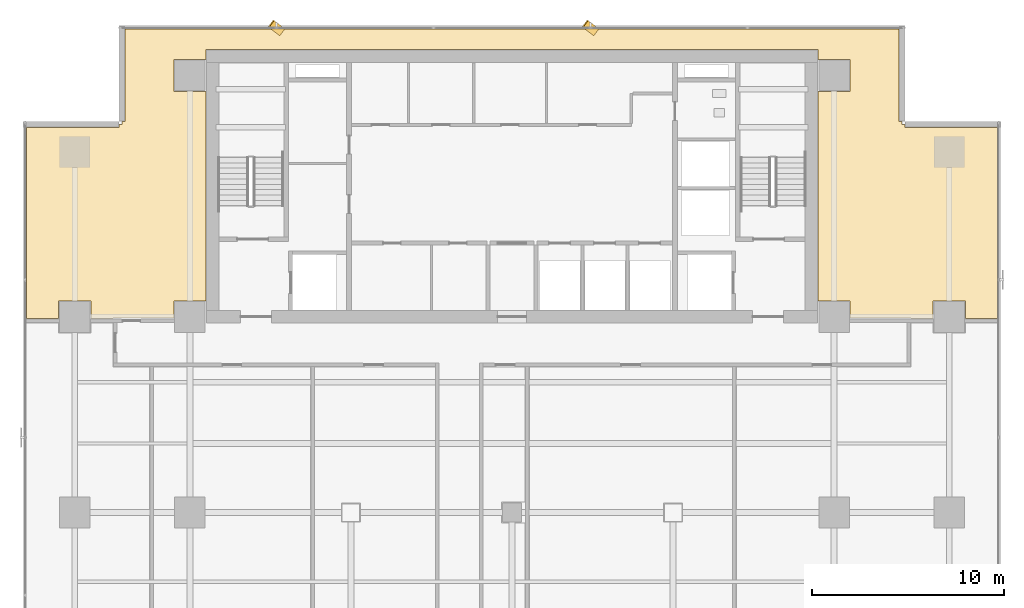
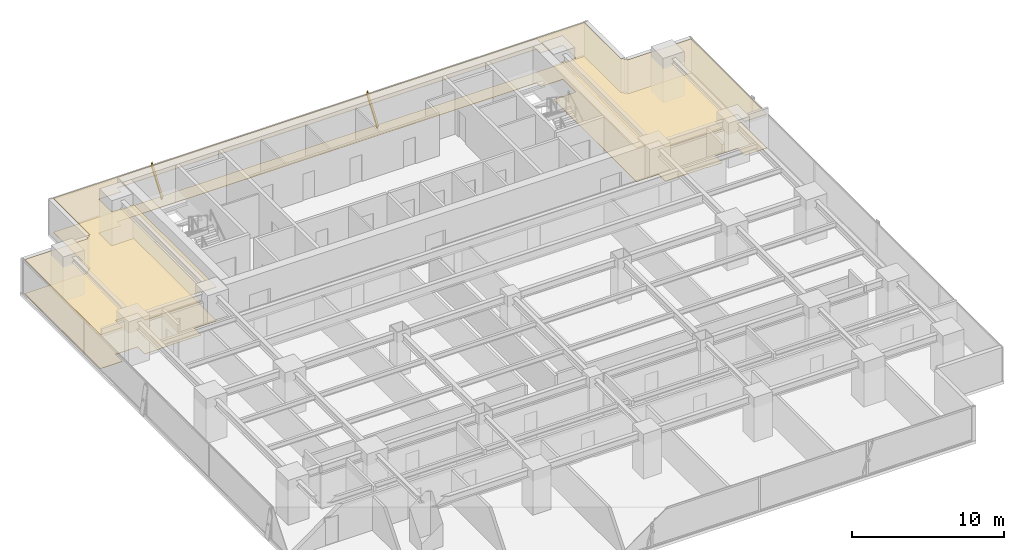
# One storey, part 35 of 37: 2 coverings, 2 shading devices.
"""IFC4 building model written with IfcOpenShell, lengths in metres."""

import ifcopenshell
import ifcopenshell.guid

model = None  # the IFC model being written
_history = None  # IfcOwnerHistory: only IFC2X3 demands one
_inside = {}  # id of a spatial element -> (the spatial element, [elements in it])
_under = {}  # id of a project, library or spatial element -> (it, [spatial elements below it])
_declared = {}  # id of a project -> (the project, [libraries it declares])
_typed = {}  # id of a type object -> (the type object, [elements of that type])
_made_of = {}  # id of a material, layer set ... -> (it, [elements and type objects made of it])


def new_model(schema):
    """Start an empty IFC model of exactly this schema.

    Asked for "IFC4X3", IfcOpenShell would pick the latest addendum, in which some entities
    have other attributes; the version numbers below select the first issue.
    IFC2X3 requires an IfcOwnerHistory on every rooted entity: one is made here for all.
    """
    global model, _history
    if schema == "IFC4X3":
        model = ifcopenshell.file(schema_version=(4, 3, 0, 0))
    else:
        model = ifcopenshell.file(schema=schema)
    _inside.clear()
    _under.clear()
    _declared.clear()
    _typed.clear()
    _made_of.clear()
    _history = None
    if model.schema == "IFC2X3":
        org = make("IfcOrganization", Name="unknown")
        user = make(
            "IfcPersonAndOrganization",
            ThePerson=make("IfcPerson", FamilyName="unknown"),
            TheOrganization=org,
        )
        app = make(
            "IfcApplication",
            ApplicationDeveloper=org,
            Version="unknown",
            ApplicationFullName="unknown",
            ApplicationIdentifier="unknown",
        )
        _history = make(
            "IfcOwnerHistory",
            OwningUser=user,
            OwningApplication=app,
            ChangeAction="ADDED",
            CreationDate=0,
        )
    return model


def make(cls, **values):
    """One entity of the class cls with the attributes given. An attribute that is None is left unset."""
    return model.create_entity(
        cls, **{name: value for name, value in values.items() if value is not None}
    )


def rooted(cls, **values):
    """An entity with a GlobalId (a new one), such as an element, a storey or a relation."""
    return make(cls, GlobalId=ifcopenshell.guid.new(), OwnerHistory=_history, **values)


def si_unit(unit_type, name, prefix=None):
    """IfcSIUnit, for example si_unit("LENGTHUNIT", "METRE", prefix="MILLI")."""
    return make("IfcSIUnit", UnitType=unit_type, Prefix=prefix, Name=name)


def assignment(units):
    """IfcUnitAssignment: the units of a project."""
    return None if units is None else make("IfcUnitAssignment", Units=units)


def point(xyz):
    """IfcCartesianPoint."""
    return None if xyz is None else make("IfcCartesianPoint", Coordinates=xyz)


def direction(xyz):
    """IfcDirection."""
    return None if xyz is None else make("IfcDirection", DirectionRatios=xyz)


def frame(location, z_axis=None, x_axis=None):
    """IfcAxis2Placement3D, a coordinate frame: its origin and axes. An axis left out is left unset."""
    return make(
        "IfcAxis2Placement3D",
        Location=point(location),
        Axis=direction(z_axis),
        RefDirection=direction(x_axis),
    )


def frame_2d(location, x_axis=None):
    """IfcAxis2Placement2D, a coordinate frame in the plane: its origin and x axis."""
    return make(
        "IfcAxis2Placement2D", Location=point(location), RefDirection=direction(x_axis)
    )


def origin():
    """The frame at (0, 0, 0) with its axes left unset."""
    return frame((0.0, 0.0, 0.0))


def origin_2d():
    """The frame at (0, 0) in the plane with its x axis left unset."""
    return frame_2d((0.0, 0.0))


def place(relative_to, where):
    """IfcLocalPlacement: puts the frame where relative to a parent placement (None: the world)."""
    return make(
        "IfcLocalPlacement", PlacementRelTo=relative_to, RelativePlacement=where
    )


def context(
    kind, dimensions, precision=None, world=None, true_north=None, identifier=None
):
    """IfcGeometricRepresentationContext, for example the 3D "Model" context."""
    return make(
        "IfcGeometricRepresentationContext",
        ContextIdentifier=identifier,
        ContextType=kind,
        CoordinateSpaceDimension=dimensions,
        Precision=precision,
        WorldCoordinateSystem=world,
        TrueNorth=true_north,
    )


def subcontext(parent, identifier, kind, view, scale=None):
    """IfcGeometricRepresentationSubContext, for example "Body" below "Model"."""
    return make(
        "IfcGeometricRepresentationSubContext",
        ContextIdentifier=identifier,
        ContextType=kind,
        ParentContext=parent,
        TargetScale=scale,
        TargetView=view,
    )


def project(units=None, contexts=None):
    """IfcProject with its units and contexts."""
    return rooted(
        "IfcProject",
        Name="project",
        RepresentationContexts=contexts,
        UnitsInContext=assignment(units),
    )


def spatial(cls, under=None, at=None, **own):
    """A site, building, storey or space (cls), placed at a placement, below another one or the project."""
    s = rooted(cls, ObjectPlacement=at, **own)
    if under is not None:
        _under.setdefault(under.id(), (under, []))[1].append(s)
    return s


def polyline(points):
    """IfcPolyline through the points."""
    return make("IfcPolyline", Points=[point(p) for p in points])


def profile(cls, at=None, kind="AREA", **sizes):
    """A parametric profile (cls). Its sizes go by their IFC names, for example OverallWidth=200.0."""
    return make(cls, ProfileType=kind, Position=at, **sizes)


def rectangle(**sizes):
    """IfcRectangleProfileDef."""
    return profile("IfcRectangleProfileDef", **sizes)


def outline(outer, holes=None, kind="AREA"):
    """IfcArbitraryClosedProfileDef: a profile drawn as a closed curve; with holes, ...WithVoids."""
    if holes is None:
        return make("IfcArbitraryClosedProfileDef", ProfileType=kind, OuterCurve=outer)
    return make(
        "IfcArbitraryProfileDefWithVoids",
        ProfileType=kind,
        OuterCurve=outer,
        InnerCurves=holes,
    )


def extrude(swept, where, along, depth):
    """IfcExtrudedAreaSolid: the profile swept, set in the frame where, extruded along a direction by depth."""
    return make(
        "IfcExtrudedAreaSolid",
        SweptArea=swept,
        Position=where,
        ExtrudedDirection=direction(along),
        Depth=depth,
    )


def shape(context_of_items, identifier, shape_type, items):
    """IfcShapeRepresentation: the items that make up one representation, for example the "Body"."""
    return make(
        "IfcShapeRepresentation",
        ContextOfItems=context_of_items,
        RepresentationIdentifier=identifier,
        RepresentationType=shape_type,
        Items=items,
    )


def source(mapping_origin, context_of_items, identifier, shape_type, items):
    """IfcRepresentationMap: a shape defined once, which mapped items show again and again."""
    return make(
        "IfcRepresentationMap",
        MappingOrigin=mapping_origin,
        MappedRepresentation=shape(context_of_items, identifier, shape_type, items),
    )


def transform(
    local_origin,
    x_axis=None,
    y_axis=None,
    z_axis=None,
    scale=None,
    scale2=None,
    scale3=None,
    uniform=True,
):
    """IfcCartesianTransformationOperator3D, or its non-uniform kind. x_axis, y_axis, z_axis: its Axis1, 2, 3."""
    if uniform:
        return make(
            "IfcCartesianTransformationOperator3D",
            Axis1=direction(x_axis),
            Axis2=direction(y_axis),
            LocalOrigin=point(local_origin),
            Scale=scale,
            Axis3=direction(z_axis),
        )
    return make(
        "IfcCartesianTransformationOperator3DnonUniform",
        Axis1=direction(x_axis),
        Axis2=direction(y_axis),
        LocalOrigin=point(local_origin),
        Scale=scale,
        Axis3=direction(z_axis),
        Scale2=scale2,
        Scale3=scale3,
    )


def mapped(mapping_source, mapping_target):
    """IfcMappedItem: shows the shape of a source again, moved by a transform."""
    return make(
        "IfcMappedItem", MappingSource=mapping_source, MappingTarget=mapping_target
    )


def material(Name=None, Category=None):
    """IfcMaterial."""
    return make("IfcMaterial", Name=Name, Category=Category)


def layer(
    of_material, thickness, ventilated=None, Name=None, Category=None, Priority=None
):
    """IfcMaterialLayer: one layer of a wall or slab, of a material (None: an air gap)."""
    return make(
        "IfcMaterialLayer",
        Material=of_material,
        LayerThickness=thickness,
        IsVentilated=ventilated,
        Name=Name,
        Category=Category,
        Priority=Priority,
    )


def layer_set(layers, Name=None):
    """IfcMaterialLayerSet."""
    return make("IfcMaterialLayerSet", MaterialLayers=layers, LayerSetName=Name)


def material_profile(
    of_material, cross_section, Name=None, Category=None, Priority=None
):
    """IfcMaterialProfile: a cross section and its material."""
    return make(
        "IfcMaterialProfile",
        Name=Name,
        Material=of_material,
        Profile=cross_section,
        Priority=Priority,
        Category=Category,
    )


def profile_set(profiles, Name=None, composite=None):
    """IfcMaterialProfileSet."""
    return make(
        "IfcMaterialProfileSet",
        Name=Name,
        MaterialProfiles=profiles,
        CompositeProfile=composite,
    )


def made_of(thing, what):
    """Note that an element or type object is made of a material, layer set ...; save() writes the relation."""
    if what is not None:
        _made_of.setdefault(what.id(), (what, []))[1].append(thing)
    return thing


def type_object(cls, material=None, **own):
    """A type object (cls), such as IfcWallType, which elements share."""
    return made_of(rooted(cls, **own), material)


def element(
    cls,
    number,
    at=None,
    inside=None,
    cuts=None,
    type_object=None,
    material=None,
    context=None,
    identifier="Body",
    shape_type=None,
    held_by="IfcProductDefinitionShape",
    body=None,
    shapes=None,
    **own,
):
    """One element of the class cls, such as IfcWall. Its Tag is "e" and its number.

    at: its placement. inside: the storey or other place that contains it. cuts: it is an
    opening in that element (IfcRelVoidsElement). A single representation is given by context,
    identifier, shape_type and body (its items); several are given by shapes. held_by: the class
    of the entity that holds the representations. save() writes the other relations.
    """
    e = rooted(cls, Tag="e%d" % number, ObjectPlacement=at, **own)
    if body is not None:
        shapes = [shape(context, identifier, shape_type, body)]
    if shapes is not None:
        e.Representation = make(held_by, Representations=shapes)
    if inside is not None:
        _inside.setdefault(inside.id(), (inside, []))[1].append(e)
    if cuts is not None:
        rooted(
            "IfcRelVoidsElement", RelatingBuildingElement=cuts, RelatedOpeningElement=e
        )
    if type_object is not None:
        _typed.setdefault(type_object.id(), (type_object, []))[1].append(e)
    return made_of(e, material)


def aggregate(whole, parts):
    """IfcRelAggregates: a whole, such as a stair, and the parts it consists of."""
    return rooted("IfcRelAggregates", RelatingObject=whole, RelatedObjects=parts)


def save(model, path):
    """Write the relations noted so far, then the file.

    IfcRelAggregates (storeys below a building ...), IfcRelContainedInSpatialStructure (elements
    in a storey), IfcRelDefinesByType, IfcRelAssociatesMaterial and IfcRelDeclares: one each for
    every whole, place, type object, material and project.
    """
    for whole, parts in _under.values():
        aggregate(whole, parts)
    for where, things in _inside.values():
        rooted(
            "IfcRelContainedInSpatialStructure",
            RelatedElements=things,
            RelatingStructure=where,
        )
    for kind, things in _typed.values():
        rooted("IfcRelDefinesByType", RelatedObjects=things, RelatingType=kind)
    for what, things in _made_of.values():
        rooted("IfcRelAssociatesMaterial", RelatedObjects=things, RelatingMaterial=what)
    for by, libraries in _declared.values():
        rooted("IfcRelDeclares", RelatingContext=by, RelatedDefinitions=libraries)
    model.write(path)


model = new_model("IFC4")

# Units and contexts
model_context = context("Model", 3, precision=1e-05, world=origin(), true_north=direction((0.0, 1.0)))
body_context = subcontext(model_context, "Body", "Model", "MODEL_VIEW")
ifc_project = project(units=[si_unit("LENGTHUNIT", "METRE"), si_unit("AREAUNIT", "SQUARE_METRE"), si_unit("VOLUMEUNIT", "CUBIC_METRE"), si_unit("PLANEANGLEUNIT", "RADIAN"), si_unit("MASSUNIT", "GRAM", prefix="KILO")], contexts=[model_context])

# Site, building, storey
site_placement = place(None, origin())
site = spatial("IfcSite", under=ifc_project, at=site_placement, CompositionType="ELEMENT")
building_placement = place(site_placement, origin())
building = spatial("IfcBuilding", under=site, at=building_placement, Name="Sumidabori Civic Tower", CompositionType="ELEMENT")
storey_placement = place(building_placement, frame((0.0, 0.0, 117.199951171875)))
storey = spatial("IfcBuildingStorey", under=building, at=storey_placement, Name="L30", CompositionType="ELEMENT", Elevation=117.199951171875)

# Coverings
ifc_material_1 = material(Name="Perforated Timber Acoustic Ceiling", Category="wood")
ifc_layer_1 = layer(ifc_material_1, 0.044921875, Name="Perforated Timber Acoustic Ceiling")
ifc_layer_set_1 = layer_set([ifc_layer_1], Name="Perforated Timber Acoustic Ceiling")
covering_type_1 = type_object("IfcCoveringType", Name="CV-CEIL-AC2", PredefinedType="CEILING", material=ifc_layer_set_1)
covering_1_placement = place(storey_placement, frame((0.0, 0.0, 2.7099609375)))
element("IfcCovering", 1, at=covering_1_placement, inside=storey, type_object=covering_type_1, Name="Room Acoustic Ceiling L30-01", PredefinedType="CEILING", context=body_context, shape_type="SweptSolid", body=[
    extrude(outline(polyline([(-21.9599609375, 10.110107421875), (-21.9599609375, 11.0400390625), (-23.639892578125, 11.0400390625), (-23.639892578125, 10.110107421875), (-25.330078125, 10.110107421875), (-25.330078125, 20.072021484375), (-20.491943359375, 20.072021484375), (-20.491943359375, 20.22998046875), (-20.330078125, 20.22998046875), (-20.330078125, 20.39208984375), (-20.172119140625, 20.39208984375), (-20.172119140625, 25.22998046875), (20.172119140625, 25.22998046875), (20.172119140625, 20.39208984375), (20.330078125, 20.39208984375), (20.330078125, 20.22998046875), (20.491943359375, 20.22998046875), (20.491943359375, 20.072021484375), (25.330078125, 20.072021484375), (25.330078125, 10.110107421875), (23.639892578125, 10.110107421875), (23.639892578125, 11.0400390625), (21.9599609375, 11.0400390625), (21.9599609375, 10.110107421875), (20.800048828125, 10.110107421875), (20.800048828125, 10.14990234375), (17.639892578125, 10.14990234375), (17.639892578125, 11.0400390625), (15.952880859375, 11.0400390625), (15.952880859375, 21.9599609375), (17.639892578125, 21.9599609375), (17.639892578125, 23.639892578125), (15.952880859375, 23.639892578125), (15.952880859375, 24.153076171875), (-15.952880859375, 24.153076171875), (-15.952880859375, 23.639892578125), (-17.639892578125, 23.639892578125), (-17.639892578125, 21.9599609375), (-15.952880859375, 21.9599609375), (-15.952880859375, 11.0400390625), (-17.639892578125, 11.0400390625), (-17.639892578125, 10.14990234375), (-20.800048828125, 10.14990234375), (-20.800048828125, 10.110107421875), (-21.9599609375, 10.110107421875)])), origin(), (0.0, 0.0, 1.0), 0.045166015625),
])
ifc_material_2 = material(Name="Honed Terrazzo Tile Flooring")
ifc_layer_2 = layer(ifc_material_2, 0.030029296875, Name="Honed Terrazzo Tile Flooring")
ifc_layer_set_2 = layer_set([ifc_layer_2], Name="Honed Terrazzo Tile Flooring")
covering_type_2 = type_object("IfcCoveringType", Name="CV-FLR-TER", PredefinedType="FLOORING", material=ifc_layer_set_2)
covering_2_placement = place(storey_placement, origin())
element("IfcCovering", 2, at=covering_2_placement, inside=storey, type_object=covering_type_2, Name="Room Terrazzo Floor L30-01", PredefinedType="FLOORING", context=body_context, shape_type="SweptSolid", body=[
    extrude(outline(polyline([(-21.9599609375, 10.110107421875), (-21.9599609375, 11.0400390625), (-23.639892578125, 11.0400390625), (-23.639892578125, 10.110107421875), (-25.330078125, 10.110107421875), (-25.330078125, 20.072021484375), (-20.491943359375, 20.072021484375), (-20.491943359375, 20.22998046875), (-20.330078125, 20.22998046875), (-20.330078125, 20.39208984375), (-20.172119140625, 20.39208984375), (-20.172119140625, 25.22998046875), (20.172119140625, 25.22998046875), (20.172119140625, 20.39208984375), (20.330078125, 20.39208984375), (20.330078125, 20.22998046875), (20.491943359375, 20.22998046875), (20.491943359375, 20.072021484375), (25.330078125, 20.072021484375), (25.330078125, 10.110107421875), (23.639892578125, 10.110107421875), (23.639892578125, 11.0400390625), (21.9599609375, 11.0400390625), (21.9599609375, 10.110107421875), (20.800048828125, 10.110107421875), (20.800048828125, 10.14990234375), (17.639892578125, 10.14990234375), (17.639892578125, 11.0400390625), (15.952880859375, 11.0400390625), (15.952880859375, 21.9599609375), (17.639892578125, 21.9599609375), (17.639892578125, 23.639892578125), (15.952880859375, 23.639892578125), (15.952880859375, 24.153076171875), (-15.952880859375, 24.153076171875), (-15.952880859375, 23.639892578125), (-17.639892578125, 23.639892578125), (-17.639892578125, 21.9599609375), (-15.952880859375, 21.9599609375), (-15.952880859375, 11.0400390625), (-17.639892578125, 11.0400390625), (-17.639892578125, 10.14990234375), (-20.800048828125, 10.14990234375), (-20.800048828125, 10.110107421875), (-21.9599609375, 10.110107421875)])), origin(), (0.0, 0.0, 1.0), 0.030029296875),
])

# Shading devices
ifc_material_3 = material(Name="Anodised Bronze Aluminium AW-6063-T6", Category="aluminium")
ifc_material_profile = material_profile(ifc_material_3, rectangle(XDim=0.06005859375, YDim=0.449951171875, at=origin_2d()), Name="BRONZE FIN 450x60")
ifc_profile_set = profile_set([ifc_material_profile], Name="Anodised Bronze Aluminium AW-6063-T6")
shading_device_type = type_object("IfcShadingDeviceType", Name="SH-FIN-450", PredefinedType="USERDEFINED", material=ifc_profile_set)
shared_shape = source(origin(), body_context, "Body", "SweptSolid", [
    extrude(rectangle(XDim=0.06005859375, YDim=0.449951171875, at=origin_2d()), origin(), (0.0, 0.0, 1.0), 2.769775390625),
])
for number, where, z_axis, x_axis, name in (
    (3, (4.3740234375, 25.070068359375, 0.02001953125), (-0.202198633998, 0.151604904305, 0.967538973582), (0.774112159528, -0.58041539424, 0.252721852241), "Bronze Anodised Diagonal Fin L30-02"),
    (4, (-12.001953125, 25.070068359375, 0.02001953125), (-0.202198633998, 0.151604904305, 0.967538973582), (0.774112159528, -0.58041539424, 0.252721852241), "Bronze Anodised Diagonal Fin L30-04"),
):
    element("IfcShadingDevice", number, at=place(storey_placement, frame(where, z_axis=z_axis, x_axis=x_axis)), inside=storey, type_object=shading_device_type, Name=name, ObjectType="FIN", PredefinedType="USERDEFINED", context=body_context, shape_type="MappedRepresentation", body=[
        mapped(shared_shape, transform((0.0, 0.0, 0.0), x_axis=(1.0, 0.0, 0.0), y_axis=(0.0, 1.0, 0.0), z_axis=(0.0, 0.0, 1.0), scale=1.0)),
    ])

save(model, "model.ifc")
